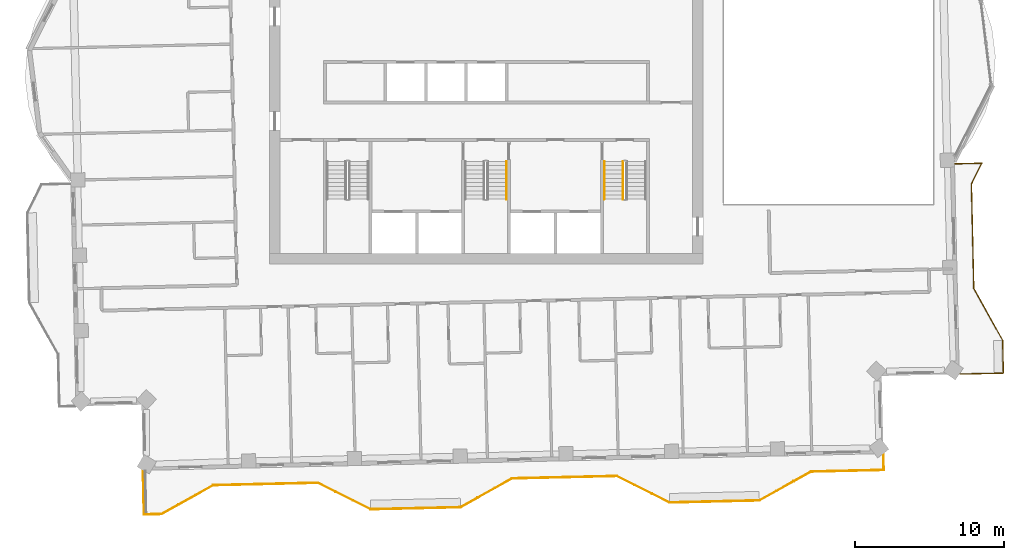
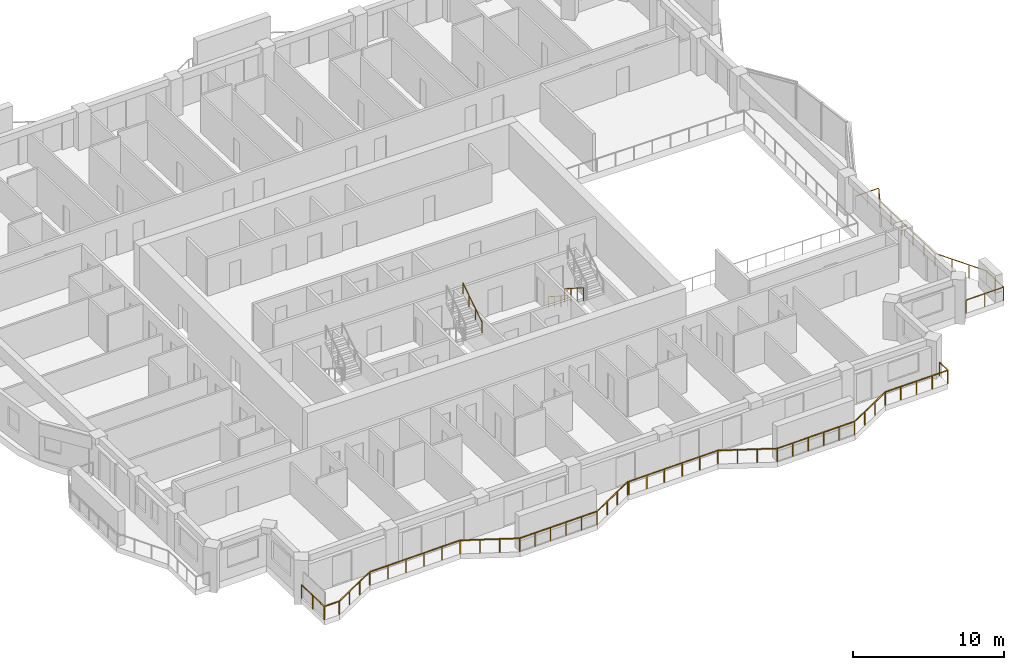
# One storey, part 18 of 20: 5 railings.
"""IFC4 building model written with IfcOpenShell, lengths in metres."""

from ifc_helpers import new_model, si_unit, direction, frame, origin, origin_2d, place, context, subcontext, project, spatial, rectangle, circle, extrude, material, type_object, element, save


model = new_model("IFC4")

# Units and contexts
model_context = context("Model", 3, precision=1e-05, world=origin(), true_north=direction((0.0, 1.0)))
body_context = subcontext(model_context, "Body", "Model", "MODEL_VIEW")
ifc_project = project(units=[si_unit("LENGTHUNIT", "METRE"), si_unit("AREAUNIT", "SQUARE_METRE"), si_unit("VOLUMEUNIT", "CUBIC_METRE"), si_unit("PLANEANGLEUNIT", "RADIAN"), si_unit("MASSUNIT", "GRAM", prefix="KILO")], contexts=[model_context])

# Site, building, storey
site_placement = place(None, origin())
site = spatial("IfcSite", under=ifc_project, at=site_placement, CompositionType="ELEMENT")
building_placement = place(site_placement, origin())
building = spatial("IfcBuilding", under=site, at=building_placement, Name="Mangrove Gate Tower", CompositionType="ELEMENT")
storey_placement = place(building_placement, frame((0.0, 0.0, 279.89990234375)))
storey = spatial("IfcBuildingStorey", under=building, at=storey_placement, Name="L71", CompositionType="ELEMENT", Elevation=279.89990234375)

# Railings
ifc_material_1 = material(Name="Stainless steel grade 316 with laminated glass infill", Category="steel")
railing_type_1 = type_object("IfcRailingType", Name="Balcony guard 1100", PredefinedType="GUARDRAIL", material=ifc_material_1)
railing_1_placement = place(storey_placement, frame((31.680908203125, -18.873046875, 0.0)))
element("IfcRailing", 1, at=railing_1_placement, inside=storey, type_object=railing_type_1, Name="GUARD L71 E1", PredefinedType="GUARDRAIL", context=body_context, shape_type="SweptSolid", body=[
    extrude(rectangle(XDim=0.048095703125, YDim=0.048095703125, at=origin_2d()), frame((0.0, 0.0, 1.076171875), z_axis=(0.999741662318, 0.022729026048, 0.0), x_axis=(-0.022729026048, 0.999741662318, 0.0)), (0.0, 0.0, 1.0), 2.910888671875),
    extrude(rectangle(XDim=0.048095703125, YDim=0.048095703125, at=origin_2d()), frame((2.91015625, 0.066162109375, 1.076171875), z_axis=(-0.022744087289, 0.999741319789, 0.0), x_axis=(-0.999741319789, -0.022744087289, 0.0)), (0.0, 0.0, 1.0), 2.200439453125),
    extrude(rectangle(XDim=0.048095703125, YDim=0.048095703125, at=origin_2d()), frame((2.860107421875, 2.26611328125, 1.076171875), z_axis=(-0.48726008209, 0.87325689943, 0.0), x_axis=(-0.87325689943, -0.48726008209, 0.0)), (0.0, 0.0, 1.0), 3.958740234375),
    extrude(rectangle(XDim=0.048095703125, YDim=0.048095703125, at=origin_2d()), frame((0.93115234375, 5.72314453125, 1.076171875), z_axis=(-0.022741212823, 0.999741385179, 0.0), x_axis=(-0.999741385179, -0.022741212823, 0.0)), (0.0, 0.0, 1.0), 6.99951171875),
    extrude(rectangle(XDim=0.048095703125, YDim=0.048095703125, at=origin_2d()), frame((0.77197265625, 12.720947265625, 1.076171875), z_axis=(0.4469623872, 0.89455275106, 0.0), x_axis=(-0.89455275106, 0.4469623872, 0.0)), (0.0, 0.0, 1.0), 1.55517578125),
    extrude(rectangle(XDim=0.048095703125, YDim=0.048095703125, at=origin_2d()), frame((1.467041015625, 14.112060546875, 1.076171875), z_axis=(-0.999736374059, -0.02296045261, 0.0), x_axis=(0.02296045261, -0.999736374059, 0.0)), (0.0, 0.0, 1.0), 1.786376953125),
    extrude(rectangle(XDim=0.0419921875, YDim=0.0419921875, at=origin_2d()), origin(), (0.0, 0.0, 1.0), 1.052001953125),
    extrude(rectangle(XDim=0.0419921875, YDim=0.0419921875, at=origin_2d()), frame((1.455078125, 0.033203125, 0.0)), (0.0, 0.0, 1.0), 1.052001953125),
    extrude(rectangle(XDim=0.0419921875, YDim=0.0419921875, at=origin_2d()), frame((2.91015625, 0.066162109375, 0.0)), (0.0, 0.0, 1.0), 1.052001953125),
    extrude(rectangle(XDim=0.0419921875, YDim=0.0419921875, at=origin_2d()), frame((2.88525390625, 1.166015625, 0.0)), (0.0, 0.0, 1.0), 1.052001953125),
    extrude(rectangle(XDim=0.0419921875, YDim=0.0419921875, at=origin_2d()), frame((2.860107421875, 2.26611328125, 0.0)), (0.0, 0.0, 1.0), 1.052001953125),
    extrude(rectangle(XDim=0.0419921875, YDim=0.0419921875, at=origin_2d()), frame((2.217041015625, 3.41845703125, 0.0)), (0.0, 0.0, 1.0), 1.052001953125),
    extrude(rectangle(XDim=0.0419921875, YDim=0.0419921875, at=origin_2d()), frame((1.57421875, 4.57080078125, 0.0)), (0.0, 0.0, 1.0), 1.052001953125),
    extrude(rectangle(XDim=0.0419921875, YDim=0.0419921875, at=origin_2d()), frame((0.93115234375, 5.72314453125, 0.0)), (0.0, 0.0, 1.0), 1.052001953125),
    extrude(rectangle(XDim=0.0419921875, YDim=0.0419921875, at=origin_2d()), frame((0.8994140625, 7.122802734375, 0.0)), (0.0, 0.0, 1.0), 1.052001953125),
    extrude(rectangle(XDim=0.0419921875, YDim=0.0419921875, at=origin_2d()), frame((0.867431640625, 8.522216796875, 0.0)), (0.0, 0.0, 1.0), 1.052001953125),
    extrude(rectangle(XDim=0.0419921875, YDim=0.0419921875, at=origin_2d()), frame((0.835693359375, 9.921875, 0.0)), (0.0, 0.0, 1.0), 1.052001953125),
    extrude(rectangle(XDim=0.0419921875, YDim=0.0419921875, at=origin_2d()), frame((0.8037109375, 11.3212890625, 0.0)), (0.0, 0.0, 1.0), 1.052001953125),
    extrude(rectangle(XDim=0.0419921875, YDim=0.0419921875, at=origin_2d()), frame((0.77197265625, 12.720947265625, 0.0)), (0.0, 0.0, 1.0), 1.052001953125),
    extrude(rectangle(XDim=0.0419921875, YDim=0.0419921875, at=origin_2d()), frame((1.11962890625, 13.41650390625, 0.0)), (0.0, 0.0, 1.0), 1.052001953125),
    extrude(rectangle(XDim=0.0419921875, YDim=0.0419921875, at=origin_2d()), frame((1.467041015625, 14.112060546875, 0.0)), (0.0, 0.0, 1.0), 1.052001953125),
    extrude(rectangle(XDim=0.0419921875, YDim=0.0419921875, at=origin_2d()), frame((0.57421875, 14.091552734375, 0.0)), (0.0, 0.0, 1.0), 1.052001953125),
    extrude(rectangle(XDim=0.0419921875, YDim=0.0419921875, at=origin_2d()), frame((-0.31884765625, 14.071044921875, 0.0)), (0.0, 0.0, 1.0), 1.052001953125),
])
railing_2_placement = place(storey_placement, frame((-22.9619140625, -25.35400390625, 0.0)))
element("IfcRailing", 2, at=railing_2_placement, inside=storey, type_object=railing_type_1, Name="GUARD L71 S1", PredefinedType="GUARDRAIL", context=body_context, shape_type="SweptSolid", body=[
    extrude(rectangle(XDim=0.048095703125, YDim=0.048095703125, at=origin_2d()), frame((0.0, 0.0, 1.076171875), z_axis=(0.022654696127, -0.999743349437, 0.0), x_axis=(0.999743349437, 0.022654696127, 0.0)), (0.0, 0.0, 1.0), 2.90966796875),
    extrude(rectangle(XDim=0.048095703125, YDim=0.048095703125, at=origin_2d()), frame((0.06591796875, -2.908935546875, 1.076171875), z_axis=(0.999754619798, 0.0221517537, 0.0), x_axis=(-0.0221517537, 0.999754619798, 0.0)), (0.0, 0.0, 1.0), 1.168212890625),
    extrude(rectangle(XDim=0.048095703125, YDim=0.048095703125, at=origin_2d()), frame((1.23388671875, -2.883056640625, 1.076171875), z_axis=(0.87325689943, 0.48726008209, 0.0), x_axis=(-0.48726008209, 0.87325689943, 0.0)), (0.0, 0.0, 1.0), 3.958740234375),
    extrude(rectangle(XDim=0.048095703125, YDim=0.048095703125, at=origin_2d()), frame((4.69091796875, -0.9541015625, 1.076171875), z_axis=(0.999741403216, 0.022740419861, 0.0), x_axis=(-0.022740419861, 0.999741403216, 0.0)), (0.0, 0.0, 1.0), 6.999755859375),
    extrude(rectangle(XDim=0.048095703125, YDim=0.048095703125, at=origin_2d()), frame((11.68896484375, -0.794921875, 1.076171875), z_axis=(0.894476522376, -0.447114919141, 0.0), x_axis=(0.447114919141, 0.894476522376, 0.0)), (0.0, 0.0, 1.0), 3.958740234375),
    extrude(rectangle(XDim=0.048095703125, YDim=0.048095703125, at=origin_2d()), frame((15.22998046875, -2.56494140625, 1.076171875), z_axis=(0.999743178102, 0.022662255828, 0.0), x_axis=(-0.022662255828, 0.999743178102, 0.0)), (0.0, 0.0, 1.0), 6.00048828125),
    extrude(rectangle(XDim=0.048095703125, YDim=0.048095703125, at=origin_2d()), frame((21.22900390625, -2.428955078125, 1.076171875), z_axis=(0.87325689943, 0.48726008209, 0.0), x_axis=(-0.48726008209, 0.87325689943, 0.0)), (0.0, 0.0, 1.0), 3.958740234375),
    extrude(rectangle(XDim=0.048095703125, YDim=0.048095703125, at=origin_2d()), frame((24.68603515625, -0.5, 1.076171875), z_axis=(0.999808759986, 0.019556161565, 0.0), x_axis=(-0.019556161565, 0.999808759986, 0.0)), (0.0, 0.0, 1.0), 0.099853515625),
    extrude(rectangle(XDim=0.048095703125, YDim=0.048095703125, at=origin_2d()), frame((24.785888671875, -0.498046875, 1.076171875), z_axis=(0.999741140915, 0.022751948524, 0.0), x_axis=(-0.022751948524, 0.999741140915, 0.0)), (0.0, 0.0, 1.0), 6.899658203125),
    extrude(rectangle(XDim=0.048095703125, YDim=0.048095703125, at=origin_2d()), frame((31.683837890625, -0.341064453125, 1.076171875), z_axis=(0.894377854182, -0.447312255532, 0.0), x_axis=(0.447312255532, 0.894377854182, 0.0)), (0.0, 0.0, 1.0), 3.959228515625),
    extrude(rectangle(XDim=0.048095703125, YDim=0.048095703125, at=origin_2d()), frame((35.224853515625, -2.112060546875, 1.076171875), z_axis=(0.999739477659, 0.022824916448, 0.0), x_axis=(-0.022824916448, 0.999739477659, 0.0)), (0.0, 0.0, 1.0), 6.00048828125),
    extrude(rectangle(XDim=0.048095703125, YDim=0.048095703125, at=origin_2d()), frame((41.223876953125, -1.97509765625, 1.076171875), z_axis=(0.873335618354, 0.48711897696, 0.0), x_axis=(-0.48711897696, 0.873335618354, 0.0)), (0.0, 0.0, 1.0), 3.95849609375),
    extrude(rectangle(XDim=0.048095703125, YDim=0.048095703125, at=origin_2d()), frame((44.680908203125, -0.046875, 1.076171875), z_axis=(0.999740772941, 0.022768111909, 0.0), x_axis=(-0.022768111909, 0.999740772941, 0.0)), (0.0, 0.0, 1.0), 4.8681640625),
    extrude(rectangle(XDim=0.048095703125, YDim=0.048095703125, at=origin_2d()), frame((49.5478515625, 0.06396484375, 1.076171875), z_axis=(-0.022564497502, 0.999745389313, 0.0), x_axis=(-0.999745389313, -0.022564497502, 0.0)), (0.0, 0.0, 1.0), 1.060302734375),
    extrude(rectangle(XDim=0.0419921875, YDim=0.0419921875, at=origin_2d()), origin(), (0.0, 0.0, 1.0), 1.052001953125),
    extrude(rectangle(XDim=0.0419921875, YDim=0.0419921875, at=origin_2d()), frame((0.032958984375, -1.45458984375, 0.0)), (0.0, 0.0, 1.0), 1.052001953125),
    extrude(rectangle(XDim=0.0419921875, YDim=0.0419921875, at=origin_2d()), frame((0.06591796875, -2.908935546875, 0.0)), (0.0, 0.0, 1.0), 1.052001953125),
    extrude(rectangle(XDim=0.0419921875, YDim=0.0419921875, at=origin_2d()), frame((1.23388671875, -2.883056640625, 0.0)), (0.0, 0.0, 1.0), 1.052001953125),
    extrude(rectangle(XDim=0.0419921875, YDim=0.0419921875, at=origin_2d()), frame((2.38623046875, -2.239990234375, 0.0)), (0.0, 0.0, 1.0), 1.052001953125),
    extrude(rectangle(XDim=0.0419921875, YDim=0.0419921875, at=origin_2d()), frame((3.53857421875, -1.59716796875, 0.0)), (0.0, 0.0, 1.0), 1.052001953125),
    extrude(rectangle(XDim=0.0419921875, YDim=0.0419921875, at=origin_2d()), frame((4.69091796875, -0.9541015625, 0.0)), (0.0, 0.0, 1.0), 1.052001953125),
    extrude(rectangle(XDim=0.0419921875, YDim=0.0419921875, at=origin_2d()), frame((6.090576171875, -0.92236328125, 0.0)), (0.0, 0.0, 1.0), 1.052001953125),
    extrude(rectangle(XDim=0.0419921875, YDim=0.0419921875, at=origin_2d()), frame((7.490234375, -0.890380859375, 0.0)), (0.0, 0.0, 1.0), 1.052001953125),
    extrude(rectangle(XDim=0.0419921875, YDim=0.0419921875, at=origin_2d()), frame((8.8896484375, -0.858642578125, 0.0)), (0.0, 0.0, 1.0), 1.052001953125),
    extrude(rectangle(XDim=0.0419921875, YDim=0.0419921875, at=origin_2d()), frame((10.289306640625, -0.82666015625, 0.0)), (0.0, 0.0, 1.0), 1.052001953125),
    extrude(rectangle(XDim=0.0419921875, YDim=0.0419921875, at=origin_2d()), frame((11.68896484375, -0.794921875, 0.0)), (0.0, 0.0, 1.0), 1.052001953125),
    extrude(rectangle(XDim=0.0419921875, YDim=0.0419921875, at=origin_2d()), frame((12.869384765625, -1.385009765625, 0.0)), (0.0, 0.0, 1.0), 1.052001953125),
    extrude(rectangle(XDim=0.0419921875, YDim=0.0419921875, at=origin_2d()), frame((14.049560546875, -1.974853515625, 0.0)), (0.0, 0.0, 1.0), 1.052001953125),
    extrude(rectangle(XDim=0.0419921875, YDim=0.0419921875, at=origin_2d()), frame((15.22998046875, -2.56494140625, 0.0)), (0.0, 0.0, 1.0), 1.052001953125),
    extrude(rectangle(XDim=0.0419921875, YDim=0.0419921875, at=origin_2d()), frame((16.4296875, -2.537841796875, 0.0)), (0.0, 0.0, 1.0), 1.052001953125),
    extrude(rectangle(XDim=0.0419921875, YDim=0.0419921875, at=origin_2d()), frame((17.629638671875, -2.510498046875, 0.0)), (0.0, 0.0, 1.0), 1.052001953125),
    extrude(rectangle(XDim=0.0419921875, YDim=0.0419921875, at=origin_2d()), frame((18.829345703125, -2.4833984375, 0.0)), (0.0, 0.0, 1.0), 1.052001953125),
    extrude(rectangle(XDim=0.0419921875, YDim=0.0419921875, at=origin_2d()), frame((20.029296875, -2.4560546875, 0.0)), (0.0, 0.0, 1.0), 1.052001953125),
    extrude(rectangle(XDim=0.0419921875, YDim=0.0419921875, at=origin_2d()), frame((21.22900390625, -2.428955078125, 0.0)), (0.0, 0.0, 1.0), 1.052001953125),
    extrude(rectangle(XDim=0.0419921875, YDim=0.0419921875, at=origin_2d()), frame((22.38134765625, -1.785888671875, 0.0)), (0.0, 0.0, 1.0), 1.052001953125),
    extrude(rectangle(XDim=0.0419921875, YDim=0.0419921875, at=origin_2d()), frame((23.53369140625, -1.14306640625, 0.0)), (0.0, 0.0, 1.0), 1.052001953125),
    extrude(rectangle(XDim=0.0419921875, YDim=0.0419921875, at=origin_2d()), frame((24.68603515625, -0.5, 0.0)), (0.0, 0.0, 1.0), 1.052001953125),
    extrude(rectangle(XDim=0.0419921875, YDim=0.0419921875, at=origin_2d()), frame((24.785888671875, -0.498046875, 0.0)), (0.0, 0.0, 1.0), 1.052001953125),
    extrude(rectangle(XDim=0.0419921875, YDim=0.0419921875, at=origin_2d()), frame((26.16552734375, -0.466552734375, 0.0)), (0.0, 0.0, 1.0), 1.052001953125),
    extrude(rectangle(XDim=0.0419921875, YDim=0.0419921875, at=origin_2d()), frame((27.545166015625, -0.435302734375, 0.0)), (0.0, 0.0, 1.0), 1.052001953125),
    extrude(rectangle(XDim=0.0419921875, YDim=0.0419921875, at=origin_2d()), frame((28.924560546875, -0.40380859375, 0.0)), (0.0, 0.0, 1.0), 1.052001953125),
    extrude(rectangle(XDim=0.0419921875, YDim=0.0419921875, at=origin_2d()), frame((30.30419921875, -0.37255859375, 0.0)), (0.0, 0.0, 1.0), 1.052001953125),
    extrude(rectangle(XDim=0.0419921875, YDim=0.0419921875, at=origin_2d()), frame((31.683837890625, -0.341064453125, 0.0)), (0.0, 0.0, 1.0), 1.052001953125),
    extrude(rectangle(XDim=0.0419921875, YDim=0.0419921875, at=origin_2d()), frame((32.8642578125, -0.931396484375, 0.0)), (0.0, 0.0, 1.0), 1.052001953125),
    extrude(rectangle(XDim=0.0419921875, YDim=0.0419921875, at=origin_2d()), frame((34.04443359375, -1.521728515625, 0.0)), (0.0, 0.0, 1.0), 1.052001953125),
    extrude(rectangle(XDim=0.0419921875, YDim=0.0419921875, at=origin_2d()), frame((35.224853515625, -2.112060546875, 0.0)), (0.0, 0.0, 1.0), 1.052001953125),
    extrude(rectangle(XDim=0.0419921875, YDim=0.0419921875, at=origin_2d()), frame((36.424560546875, -2.084716796875, 0.0)), (0.0, 0.0, 1.0), 1.052001953125),
    extrude(rectangle(XDim=0.0419921875, YDim=0.0419921875, at=origin_2d()), frame((37.62451171875, -2.057373046875, 0.0)), (0.0, 0.0, 1.0), 1.052001953125),
    extrude(rectangle(XDim=0.0419921875, YDim=0.0419921875, at=origin_2d()), frame((38.82421875, -2.02978515625, 0.0)), (0.0, 0.0, 1.0), 1.052001953125),
    extrude(rectangle(XDim=0.0419921875, YDim=0.0419921875, at=origin_2d()), frame((40.024169921875, -2.00244140625, 0.0)), (0.0, 0.0, 1.0), 1.052001953125),
    extrude(rectangle(XDim=0.0419921875, YDim=0.0419921875, at=origin_2d()), frame((41.223876953125, -1.97509765625, 0.0)), (0.0, 0.0, 1.0), 1.052001953125),
    extrude(rectangle(XDim=0.0419921875, YDim=0.0419921875, at=origin_2d()), frame((42.376220703125, -1.332275390625, 0.0)), (0.0, 0.0, 1.0), 1.052001953125),
    extrude(rectangle(XDim=0.0419921875, YDim=0.0419921875, at=origin_2d()), frame((43.528564453125, -0.689697265625, 0.0)), (0.0, 0.0, 1.0), 1.052001953125),
    extrude(rectangle(XDim=0.0419921875, YDim=0.0419921875, at=origin_2d()), frame((44.680908203125, -0.046875, 0.0)), (0.0, 0.0, 1.0), 1.052001953125),
    extrude(rectangle(XDim=0.0419921875, YDim=0.0419921875, at=origin_2d()), frame((45.897705078125, -0.01904296875, 0.0)), (0.0, 0.0, 1.0), 1.052001953125),
    extrude(rectangle(XDim=0.0419921875, YDim=0.0419921875, at=origin_2d()), frame((47.1142578125, 0.008544921875, 0.0)), (0.0, 0.0, 1.0), 1.052001953125),
    extrude(rectangle(XDim=0.0419921875, YDim=0.0419921875, at=origin_2d()), frame((48.3310546875, 0.0361328125, 0.0)), (0.0, 0.0, 1.0), 1.052001953125),
    extrude(rectangle(XDim=0.0419921875, YDim=0.0419921875, at=origin_2d()), frame((49.5478515625, 0.06396484375, 0.0)), (0.0, 0.0, 1.0), 1.052001953125),
    extrude(rectangle(XDim=0.0419921875, YDim=0.0419921875, at=origin_2d()), frame((49.52392578125, 1.1240234375, 0.0)), (0.0, 0.0, 1.0), 1.052001953125),
])
ifc_material_2 = material(Name="Stainless steel 316", Category="steel")
railing_type_2 = type_object("IfcRailingType", Name="Core stair guard 1100", PredefinedType="GUARDRAIL", material=ifc_material_2)
railing_3_placement = place(storey_placement, frame((9.14990234375, -4.64990234375, 0.18017578125)))
element("IfcRailing", 3, at=railing_3_placement, inside=storey, type_object=railing_type_2, Name="L71 ST3 stair guard 1", PredefinedType="GUARDRAIL", context=body_context, shape_type="SweptSolid", body=[
    extrude(rectangle(XDim=0.048095703125, YDim=0.048095703125, at=origin_2d()), frame((0.0, 0.0, 1.076171875), z_axis=(0.0, -0.841199657755, 0.540724639528), x_axis=(1.0, 0.0, 0.0)), (0.0, 0.0, 1.0), 2.995849609375),
    extrude(rectangle(XDim=0.0419921875, YDim=0.0419921875, at=origin_2d()), origin(), (0.0, 0.0, 1.0), 1.052001953125),
    extrude(rectangle(XDim=0.0419921875, YDim=0.0419921875, at=origin_2d()), frame((0.0, -0.840087890625, 0.5400390625)), (0.0, 0.0, 1.0), 1.052001953125),
    extrude(rectangle(XDim=0.0419921875, YDim=0.0419921875, at=origin_2d()), frame((0.0, -1.679931640625, 1.079833984375)), (0.0, 0.0, 1.0), 1.052001953125),
    extrude(rectangle(XDim=0.0419921875, YDim=0.0419921875, at=origin_2d()), frame((0.0, -2.52001953125, 1.619873046875)), (0.0, 0.0, 1.0), 1.052001953125),
])
ifc_material_3 = material(Name="Stainless steel 316", Category="steel")
railing_type_3 = type_object("IfcRailingType", Name="Core stair handrail 900", PredefinedType="HANDRAIL", material=ifc_material_3)
railing_4_placement = place(storey_placement, frame((1.35009765625, -7.169921875, 1.97998046875)))
element("IfcRailing", 4, at=railing_4_placement, inside=storey, type_object=railing_type_3, Name="L71 ST2 stair handrail 2", PredefinedType="HANDRAIL", context=body_context, shape_type="SweptSolid", body=[
    extrude(circle(Radius=0.02392578125, at=origin_2d()), frame((0.0, 0.0, 0.8759765625), z_axis=(0.0, 0.841162588446, 0.540782303519), x_axis=(-1.0, 0.0, 0.0)), (0.0, 0.0, 1.0), 2.995849609375),
    extrude(circle(Radius=0.02099609375, at=origin_2d()), origin(), (0.0, 0.0, 1.0), 0.851806640625),
    extrude(circle(Radius=0.02099609375, at=origin_2d()), frame((0.0, 0.840087890625, 0.5400390625)), (0.0, 0.0, 1.0), 0.851806640625),
    extrude(circle(Radius=0.02099609375, at=origin_2d()), frame((0.0, 1.679931640625, 1.080078125)), (0.0, 0.0, 1.0), 0.851806640625),
    extrude(circle(Radius=0.02099609375, at=origin_2d()), frame((0.0, 2.52001953125, 1.6201171875)), (0.0, 0.0, 1.0), 0.851806640625),
])
railing_5_placement = place(storey_placement, frame((7.89990234375, -4.64990234375, 0.18017578125)))
element("IfcRailing", 5, at=railing_5_placement, inside=storey, type_object=railing_type_3, Name="L71 ST3 stair handrail 1", PredefinedType="HANDRAIL", context=body_context, shape_type="SweptSolid", body=[
    extrude(circle(Radius=0.02392578125, at=origin_2d()), frame((0.0, 0.0, 0.8759765625), z_axis=(0.0, -0.841199657755, 0.540724639528), x_axis=(1.0, 0.0, 0.0)), (0.0, 0.0, 1.0), 2.995849609375),
    extrude(circle(Radius=0.02099609375, at=origin_2d()), origin(), (0.0, 0.0, 1.0), 0.851806640625),
    extrude(circle(Radius=0.02099609375, at=origin_2d()), frame((0.0, -0.840087890625, 0.5400390625)), (0.0, 0.0, 1.0), 0.851806640625),
    extrude(circle(Radius=0.02099609375, at=origin_2d()), frame((0.0, -1.679931640625, 1.079833984375)), (0.0, 0.0, 1.0), 0.851806640625),
    extrude(circle(Radius=0.02099609375, at=origin_2d()), frame((0.0, -2.52001953125, 1.619873046875)), (0.0, 0.0, 1.0), 0.851806640625),
])

save(model, "model.ifc")
